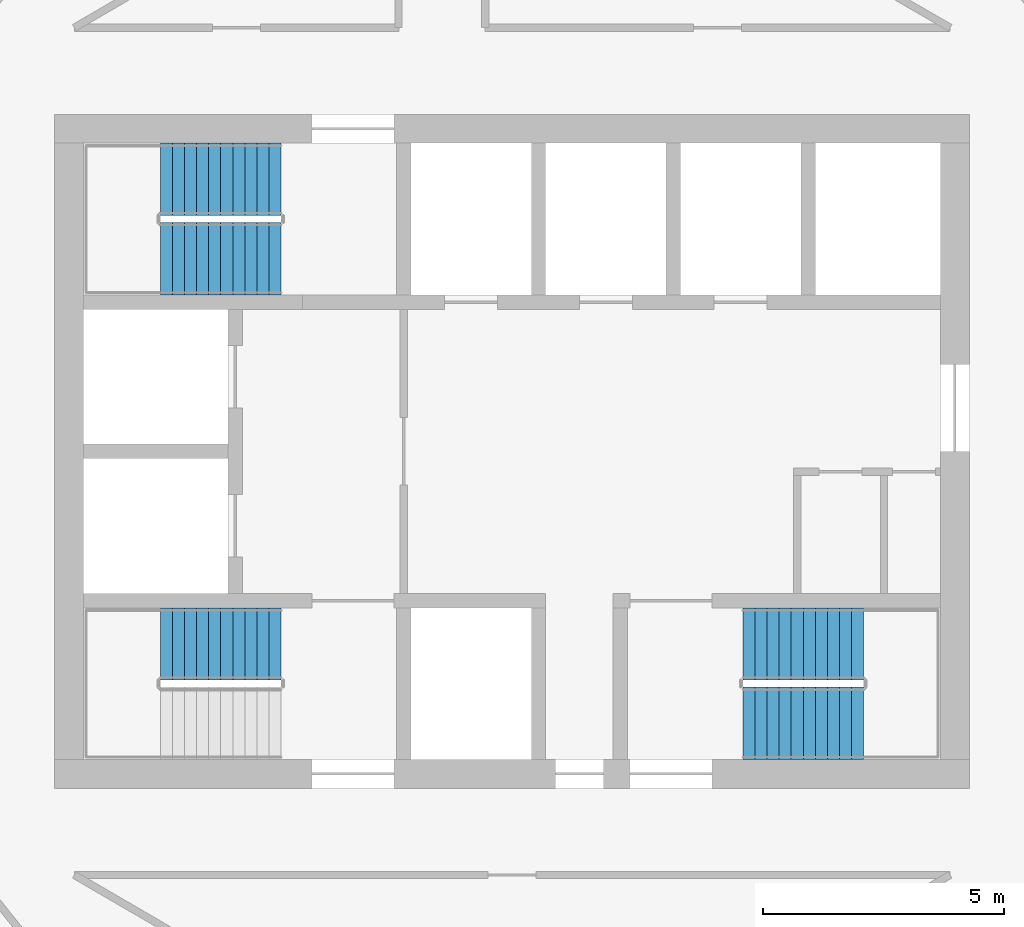
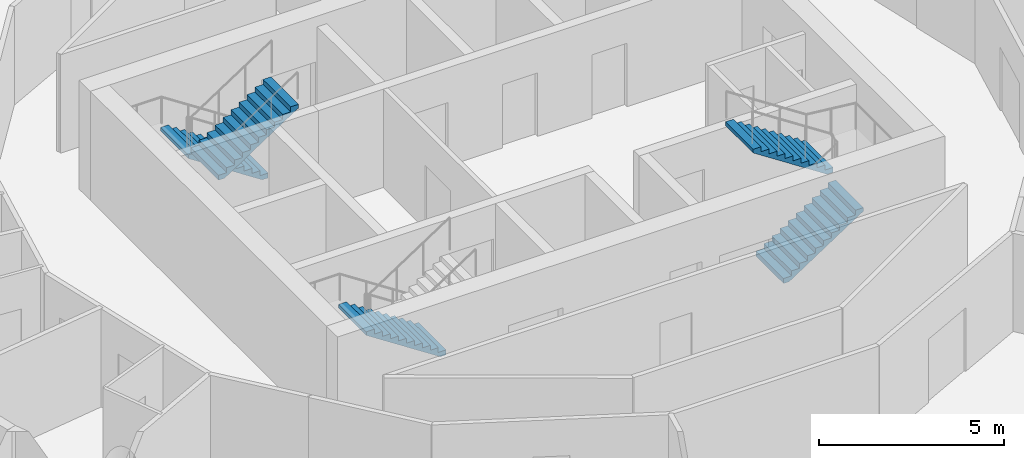
# One storey, part 11 of 12: 5 stair flights, 3 elements without a shape of their own.
"""IFC4 building model written with IfcOpenShell, lengths in metres."""

from ifc_helpers import new_model, si_unit, direction, frame, origin, place, context, subcontext, project, spatial, polyline, outline, extrude, material, type_object, element, aggregate, save


model = new_model("IFC4")

# Units and contexts
model_context = context("Model", 3, precision=1e-05, world=origin(), true_north=direction((0.0, 1.0)))
body_context = subcontext(model_context, "Body", "Model", "MODEL_VIEW")
ifc_project = project(units=[si_unit("LENGTHUNIT", "METRE"), si_unit("AREAUNIT", "SQUARE_METRE"), si_unit("VOLUMEUNIT", "CUBIC_METRE"), si_unit("PLANEANGLEUNIT", "RADIAN"), si_unit("MASSUNIT", "GRAM", prefix="KILO")], contexts=[model_context])

# Site, building, storey
site_placement = place(None, origin())
site = spatial("IfcSite", under=ifc_project, at=site_placement, CompositionType="ELEMENT")
building_placement = place(site_placement, origin())
building = spatial("IfcBuilding", under=site, at=building_placement, Name="Tracery Tower", CompositionType="ELEMENT")
storey_placement = place(building_placement, frame((0.0, 0.0, 241.800048828125)))
storey = spatial("IfcBuildingStorey", under=building, at=storey_placement, Name="L62", CompositionType="ELEMENT", Elevation=241.800048828125)

# Stair, stair flight
ifc_material_1 = material(Name="Concrete C32/40", Category="concrete")
stair_type = type_object("IfcStairType", Name="Core stair 22 risers", PredefinedType="HALF_TURN_STAIR", material=ifc_material_1)
stair_1_placement = place(storey_placement, origin())
stair_1 = element("IfcStair", 1, at=stair_1_placement, inside=storey, type_object=stair_type, Name="L62 stair ST1", PredefinedType="HALF_TURN_STAIR")
ifc_material_2 = material(Name="Concrete C32/40", Category="concrete")
stair_flight_type = type_object("IfcStairFlightType", Name="Core stair flight 11 risers", PredefinedType="STRAIGHT", material=ifc_material_2)
stair_flight_1_placement = place(storey_placement, frame((-4.800048828125, -4.0, 0.0), z_axis=(0.0, 0.0, 1.0), x_axis=(-1.0, 0.0, 0.0)))
stair_flight_1 = element("IfcStairFlight", 2, at=stair_flight_1_placement, type_object=stair_flight_type, Name="ST1 flight 1", NumberOfRisers=11, NumberOfTreads=10, PredefinedType="STRAIGHT", RiserHeight=0.163636364, TreadLength=0.25, context=body_context, shape_type="SweptSolid", body=[
    extrude(outline(polyline([(0.0, 0.0), (0.0, 0.002685546875), (0.0, 0.00537109375), (0.0, 0.008056640625), (0.0, 0.0107421875), (0.0, 0.013427734375), (0.0, 0.01611328125), (0.0, 0.018798828125), (0.0, 0.021484375), (0.0, 0.024169921875), (0.0, 0.02685546875), (0.0, 0.029541015625), (0.0, 0.0322265625), (0.0, 0.034912109375), (0.0, 0.03759765625), (0.0, 0.040283203125), (0.0, 0.04296875), (0.0, 0.045654296875), (0.0, 0.04833984375), (0.0, 0.051025390625), (0.0, 0.0537109375), (0.0, 0.056396484375), (0.0, 0.05908203125), (0.0, 0.061767578125), (0.0, 0.064453125), (0.0, 0.067138671875), (0.0, 0.06982421875), (0.0, 0.072509765625), (0.0, 0.0751953125), (0.0, 0.077880859375), (0.0, 0.08056640625), (0.0, 0.083251953125), (0.0, 0.0859375), (0.0, 0.088623046875), (0.0, 0.09130859375), (0.0, 0.093994140625), (0.0, 0.0966796875), (0.0, 0.099365234375), (0.0, 0.10205078125), (0.0, 0.104736328125), (0.0, 0.107421875), (0.0, 0.10986328125), (0.0, 0.112548828125), (0.0, 0.115234375), (0.0, 0.117919921875), (0.0, 0.12060546875), (0.0, 0.123291015625), (0.0, 0.1259765625), (0.0, 0.128662109375), (0.0, 0.13134765625), (0.0, 0.134033203125), (0.0, 0.13671875), (0.0, 0.139404296875), (0.0, 0.14208984375), (0.0, 0.144775390625), (0.0, 0.1474609375), (0.0, 0.150146484375), (0.0, 0.15283203125), (0.0, 0.155517578125), (0.0, 0.158203125), (0.0, 0.160888671875), (0.0, 0.16357421875), (0.25, 0.16357421875), (0.25, 0.327392578125), (0.5, 0.327392578125), (0.5, 0.490966796875), (0.75, 0.490966796875), (0.75, 0.654541015625), (1.0, 0.654541015625), (1.0, 0.818115234375), (1.25, 0.818115234375), (1.25, 0.98193359375), (1.5, 0.98193359375), (1.5, 1.1455078125), (1.75, 1.1455078125), (1.75, 1.30908203125), (2.0, 1.30908203125), (2.0, 1.47265625), (2.25, 1.47265625), (2.25, 1.636474609375), (2.5, 1.636474609375), (2.5, 1.634521484375), (2.5, 1.63232421875), (2.5, 1.63037109375), (2.5, 1.62841796875), (2.5, 1.62646484375), (2.5, 1.62451171875), (2.5, 1.62255859375), (2.5, 1.62060546875), (2.5, 1.61865234375), (2.5, 1.61669921875), (2.5, 1.61474609375), (2.5, 1.61279296875), (2.5, 1.61083984375), (2.5, 1.60888671875), (2.5, 1.60693359375), (2.5, 1.60498046875), (2.5, 1.60302734375), (2.5, 1.60107421875), (2.5, 1.59912109375), (2.5, 1.59716796875), (2.5, 1.59521484375), (2.5, 1.59326171875), (2.5, 1.59130859375), (2.5, 1.58935546875), (2.5, 1.58740234375), (2.5, 1.58544921875), (2.5, 1.58349609375), (2.5, 1.58154296875), (2.5, 1.57958984375), (2.5, 1.57763671875), (2.5, 1.57568359375), (2.5, 1.573486328125), (2.5, 1.571533203125), (2.5, 1.569580078125), (2.5, 1.567626953125), (2.5, 1.565673828125), (2.5, 1.563720703125), (2.5, 1.561767578125), (2.5, 1.559814453125), (2.5, 1.557861328125), (2.5, 1.555908203125), (2.5, 1.553955078125), (2.5, 1.552001953125), (2.5, 1.550048828125), (2.5, 1.548095703125), (2.5, 1.546142578125), (2.5, 1.544189453125), (2.5, 1.542236328125), (2.5, 1.540283203125), (2.5, 1.538330078125), (2.5, 1.536376953125), (2.5, 1.534423828125), (2.5, 1.532470703125), (2.5, 1.530517578125), (2.5, 1.528564453125), (2.5, 1.526611328125), (2.5, 1.524658203125), (2.5, 1.522705078125), (2.5, 1.520751953125), (2.5, 1.518798828125), (2.5, 1.516845703125), (0.182861328125, 0.0), (0.0, 0.0)])), frame((0.0, 0.75, 0.0), z_axis=(0.0, -1.0, 0.0), x_axis=(1.0, 0.0, 0.0)), (0.0, 0.0, 1.0), 1.5),
])
aggregate(stair_1, [stair_flight_1])

# Stair, stair flights
stair_2_placement = place(storey_placement, origin())
stair_2 = element("IfcStair", 3, at=stair_2_placement, inside=storey, type_object=stair_type, Name="L62 stair ST3", PredefinedType="HALF_TURN_STAIR")
stair_flight_2_placement = place(storey_placement, frame((-4.800048828125, 5.64990234375, 0.0), z_axis=(0.0, 0.0, 1.0), x_axis=(-1.0, 0.0, 0.0)))
stair_flight_2 = element("IfcStairFlight", 4, at=stair_flight_2_placement, type_object=stair_flight_type, Name="ST3 flight 1", NumberOfRisers=11, NumberOfTreads=10, PredefinedType="STRAIGHT", RiserHeight=0.163636364, TreadLength=0.25, context=body_context, shape_type="SweptSolid", body=[
    extrude(outline(polyline([(0.0, 0.0), (0.0, 0.002685546875), (0.0, 0.00537109375), (0.0, 0.008056640625), (0.0, 0.0107421875), (0.0, 0.013427734375), (0.0, 0.01611328125), (0.0, 0.018798828125), (0.0, 0.021484375), (0.0, 0.024169921875), (0.0, 0.02685546875), (0.0, 0.029541015625), (0.0, 0.0322265625), (0.0, 0.034912109375), (0.0, 0.03759765625), (0.0, 0.040283203125), (0.0, 0.04296875), (0.0, 0.045654296875), (0.0, 0.04833984375), (0.0, 0.051025390625), (0.0, 0.0537109375), (0.0, 0.056396484375), (0.0, 0.05908203125), (0.0, 0.061767578125), (0.0, 0.064453125), (0.0, 0.067138671875), (0.0, 0.06982421875), (0.0, 0.072509765625), (0.0, 0.0751953125), (0.0, 0.077880859375), (0.0, 0.08056640625), (0.0, 0.083251953125), (0.0, 0.0859375), (0.0, 0.088623046875), (0.0, 0.09130859375), (0.0, 0.093994140625), (0.0, 0.0966796875), (0.0, 0.099365234375), (0.0, 0.10205078125), (0.0, 0.104736328125), (0.0, 0.107421875), (0.0, 0.10986328125), (0.0, 0.112548828125), (0.0, 0.115234375), (0.0, 0.117919921875), (0.0, 0.12060546875), (0.0, 0.123291015625), (0.0, 0.1259765625), (0.0, 0.128662109375), (0.0, 0.13134765625), (0.0, 0.134033203125), (0.0, 0.13671875), (0.0, 0.139404296875), (0.0, 0.14208984375), (0.0, 0.144775390625), (0.0, 0.1474609375), (0.0, 0.150146484375), (0.0, 0.15283203125), (0.0, 0.155517578125), (0.0, 0.158203125), (0.0, 0.160888671875), (0.0, 0.16357421875), (0.25, 0.16357421875), (0.25, 0.327392578125), (0.5, 0.327392578125), (0.5, 0.490966796875), (0.75, 0.490966796875), (0.75, 0.654541015625), (1.0, 0.654541015625), (1.0, 0.818115234375), (1.25, 0.818115234375), (1.25, 0.98193359375), (1.5, 0.98193359375), (1.5, 1.1455078125), (1.75, 1.1455078125), (1.75, 1.30908203125), (2.0, 1.30908203125), (2.0, 1.47265625), (2.25, 1.47265625), (2.25, 1.636474609375), (2.5, 1.636474609375), (2.5, 1.634521484375), (2.5, 1.63232421875), (2.5, 1.63037109375), (2.5, 1.62841796875), (2.5, 1.62646484375), (2.5, 1.62451171875), (2.5, 1.62255859375), (2.5, 1.62060546875), (2.5, 1.61865234375), (2.5, 1.61669921875), (2.5, 1.61474609375), (2.5, 1.61279296875), (2.5, 1.61083984375), (2.5, 1.60888671875), (2.5, 1.60693359375), (2.5, 1.60498046875), (2.5, 1.60302734375), (2.5, 1.60107421875), (2.5, 1.59912109375), (2.5, 1.59716796875), (2.5, 1.59521484375), (2.5, 1.59326171875), (2.5, 1.59130859375), (2.5, 1.58935546875), (2.5, 1.58740234375), (2.5, 1.58544921875), (2.5, 1.58349609375), (2.5, 1.58154296875), (2.5, 1.57958984375), (2.5, 1.57763671875), (2.5, 1.57568359375), (2.5, 1.573486328125), (2.5, 1.571533203125), (2.5, 1.569580078125), (2.5, 1.567626953125), (2.5, 1.565673828125), (2.5, 1.563720703125), (2.5, 1.561767578125), (2.5, 1.559814453125), (2.5, 1.557861328125), (2.5, 1.555908203125), (2.5, 1.553955078125), (2.5, 1.552001953125), (2.5, 1.550048828125), (2.5, 1.548095703125), (2.5, 1.546142578125), (2.5, 1.544189453125), (2.5, 1.542236328125), (2.5, 1.540283203125), (2.5, 1.538330078125), (2.5, 1.536376953125), (2.5, 1.534423828125), (2.5, 1.532470703125), (2.5, 1.530517578125), (2.5, 1.528564453125), (2.5, 1.526611328125), (2.5, 1.524658203125), (2.5, 1.522705078125), (2.5, 1.520751953125), (2.5, 1.518798828125), (2.5, 1.516845703125), (0.182861328125, 0.0), (0.0, 0.0)])), frame((0.0, 0.75, 0.0), z_axis=(0.0, -1.0, 0.0), x_axis=(1.0, 0.0, 0.0)), (0.0, 0.0, 1.0), 1.5),
])
stair_flight_3_placement = place(storey_placement, frame((-7.300048828125, 4.0, 1.800048828125), z_axis=(0.0, 0.0, 1.0), x_axis=(1.0, 0.0, 0.0)))
stair_flight_3 = element("IfcStairFlight", 5, at=stair_flight_3_placement, type_object=stair_flight_type, Name="ST3 flight 2", NumberOfRisers=11, NumberOfTreads=10, PredefinedType="STRAIGHT", RiserHeight=0.163636364, TreadLength=0.25, context=body_context, shape_type="SweptSolid", body=[
    extrude(outline(polyline([(0.0, 0.0), (0.0, 0.002685546875), (0.0, 0.00537109375), (0.0, 0.008056640625), (0.0, 0.0107421875), (0.0, 0.013427734375), (0.0, 0.01611328125), (0.0, 0.018798828125), (0.0, 0.021484375), (0.0, 0.024169921875), (0.0, 0.02685546875), (0.0, 0.029541015625), (0.0, 0.0322265625), (0.0, 0.034912109375), (0.0, 0.03759765625), (0.0, 0.040283203125), (0.0, 0.04296875), (0.0, 0.045654296875), (0.0, 0.04833984375), (0.0, 0.051025390625), (0.0, 0.0537109375), (0.0, 0.056396484375), (0.0, 0.05908203125), (0.0, 0.061767578125), (0.0, 0.064453125), (0.0, 0.067138671875), (0.0, 0.06982421875), (0.0, 0.072509765625), (0.0, 0.0751953125), (0.0, 0.077880859375), (0.0, 0.08056640625), (0.0, 0.083251953125), (0.0, 0.0859375), (0.0, 0.088623046875), (0.0, 0.09130859375), (0.0, 0.093994140625), (0.0, 0.0966796875), (0.0, 0.099365234375), (0.0, 0.10205078125), (0.0, 0.104736328125), (0.0, 0.107421875), (0.0, 0.10986328125), (0.0, 0.112548828125), (0.0, 0.115234375), (0.0, 0.117919921875), (0.0, 0.12060546875), (0.0, 0.123291015625), (0.0, 0.1259765625), (0.0, 0.128662109375), (0.0, 0.13134765625), (0.0, 0.134033203125), (0.0, 0.13671875), (0.0, 0.139404296875), (0.0, 0.14208984375), (0.0, 0.144775390625), (0.0, 0.1474609375), (0.0, 0.150146484375), (0.0, 0.15283203125), (0.0, 0.155517578125), (0.0, 0.158203125), (0.0, 0.160888671875), (0.0, 0.16357421875), (0.25, 0.16357421875), (0.25, 0.327392578125), (0.5, 0.327392578125), (0.5, 0.490966796875), (0.75, 0.490966796875), (0.75, 0.654541015625), (1.0, 0.654541015625), (1.0, 0.818115234375), (1.25, 0.818115234375), (1.25, 0.98193359375), (1.5, 0.98193359375), (1.5, 1.1455078125), (1.75, 1.1455078125), (1.75, 1.30908203125), (2.0, 1.30908203125), (2.0, 1.47265625), (2.25, 1.47265625), (2.25, 1.636474609375), (2.5, 1.636474609375), (2.5, 1.634521484375), (2.5, 1.63232421875), (2.5, 1.63037109375), (2.5, 1.62841796875), (2.5, 1.62646484375), (2.5, 1.62451171875), (2.5, 1.62255859375), (2.5, 1.62060546875), (2.5, 1.61865234375), (2.5, 1.61669921875), (2.5, 1.61474609375), (2.5, 1.61279296875), (2.5, 1.61083984375), (2.5, 1.60888671875), (2.5, 1.60693359375), (2.5, 1.60498046875), (2.5, 1.60302734375), (2.5, 1.60107421875), (2.5, 1.59912109375), (2.5, 1.59716796875), (2.5, 1.59521484375), (2.5, 1.59326171875), (2.5, 1.59130859375), (2.5, 1.58935546875), (2.5, 1.58740234375), (2.5, 1.58544921875), (2.5, 1.58349609375), (2.5, 1.58154296875), (2.5, 1.57958984375), (2.5, 1.57763671875), (2.5, 1.57568359375), (2.5, 1.573486328125), (2.5, 1.571533203125), (2.5, 1.569580078125), (2.5, 1.567626953125), (2.5, 1.565673828125), (2.5, 1.563720703125), (2.5, 1.561767578125), (2.5, 1.559814453125), (2.5, 1.557861328125), (2.5, 1.555908203125), (2.5, 1.553955078125), (2.5, 1.552001953125), (2.5, 1.550048828125), (2.5, 1.548095703125), (2.5, 1.546142578125), (2.5, 1.544189453125), (2.5, 1.542236328125), (2.5, 1.540283203125), (2.5, 1.538330078125), (2.5, 1.536376953125), (2.5, 1.534423828125), (2.5, 1.532470703125), (2.5, 1.530517578125), (2.5, 1.528564453125), (2.5, 1.526611328125), (2.5, 1.524658203125), (2.5, 1.522705078125), (2.5, 1.520751953125), (2.5, 1.518798828125), (2.5, 1.516845703125), (0.182861328125, 0.0), (0.0, 0.0)])), frame((0.0, 0.75, 0.0), z_axis=(0.0, -1.0, 0.0), x_axis=(1.0, 0.0, 0.0)), (0.0, 0.0, 1.0), 1.5),
])
aggregate(stair_2, [stair_flight_2, stair_flight_3])

stair_3_placement = place(storey_placement, origin())
stair_3 = element("IfcStair", 6, at=stair_3_placement, inside=storey, type_object=stair_type, Name="L62 stair ST2", PredefinedType="HALF_TURN_STAIR")
stair_flight_4_placement = place(storey_placement, frame((4.800048828125, -5.64990234375, 0.0), z_axis=(0.0, 0.0, 1.0), x_axis=(1.0, 0.0, 0.0)))
stair_flight_4 = element("IfcStairFlight", 7, at=stair_flight_4_placement, type_object=stair_flight_type, Name="ST2 flight 1", NumberOfRisers=11, NumberOfTreads=10, PredefinedType="STRAIGHT", RiserHeight=0.163636364, TreadLength=0.25, context=body_context, shape_type="SweptSolid", body=[
    extrude(outline(polyline([(0.0, 0.0), (0.0, 0.002685546875), (0.0, 0.00537109375), (0.0, 0.008056640625), (0.0, 0.0107421875), (0.0, 0.013427734375), (0.0, 0.01611328125), (0.0, 0.018798828125), (0.0, 0.021484375), (0.0, 0.024169921875), (0.0, 0.02685546875), (0.0, 0.029541015625), (0.0, 0.0322265625), (0.0, 0.034912109375), (0.0, 0.03759765625), (0.0, 0.040283203125), (0.0, 0.04296875), (0.0, 0.045654296875), (0.0, 0.04833984375), (0.0, 0.051025390625), (0.0, 0.0537109375), (0.0, 0.056396484375), (0.0, 0.05908203125), (0.0, 0.061767578125), (0.0, 0.064453125), (0.0, 0.067138671875), (0.0, 0.06982421875), (0.0, 0.072509765625), (0.0, 0.0751953125), (0.0, 0.077880859375), (0.0, 0.08056640625), (0.0, 0.083251953125), (0.0, 0.0859375), (0.0, 0.088623046875), (0.0, 0.09130859375), (0.0, 0.093994140625), (0.0, 0.0966796875), (0.0, 0.099365234375), (0.0, 0.10205078125), (0.0, 0.104736328125), (0.0, 0.107421875), (0.0, 0.10986328125), (0.0, 0.112548828125), (0.0, 0.115234375), (0.0, 0.117919921875), (0.0, 0.12060546875), (0.0, 0.123291015625), (0.0, 0.1259765625), (0.0, 0.128662109375), (0.0, 0.13134765625), (0.0, 0.134033203125), (0.0, 0.13671875), (0.0, 0.139404296875), (0.0, 0.14208984375), (0.0, 0.144775390625), (0.0, 0.1474609375), (0.0, 0.150146484375), (0.0, 0.15283203125), (0.0, 0.155517578125), (0.0, 0.158203125), (0.0, 0.160888671875), (0.0, 0.16357421875), (0.25, 0.16357421875), (0.25, 0.327392578125), (0.5, 0.327392578125), (0.5, 0.490966796875), (0.75, 0.490966796875), (0.75, 0.654541015625), (1.0, 0.654541015625), (1.0, 0.818115234375), (1.25, 0.818115234375), (1.25, 0.98193359375), (1.5, 0.98193359375), (1.5, 1.1455078125), (1.75, 1.1455078125), (1.75, 1.30908203125), (2.0, 1.30908203125), (2.0, 1.47265625), (2.25, 1.47265625), (2.25, 1.636474609375), (2.5, 1.636474609375), (2.5, 1.634521484375), (2.5, 1.63232421875), (2.5, 1.63037109375), (2.5, 1.62841796875), (2.5, 1.62646484375), (2.5, 1.62451171875), (2.5, 1.62255859375), (2.5, 1.62060546875), (2.5, 1.61865234375), (2.5, 1.61669921875), (2.5, 1.61474609375), (2.5, 1.61279296875), (2.5, 1.61083984375), (2.5, 1.60888671875), (2.5, 1.60693359375), (2.5, 1.60498046875), (2.5, 1.60302734375), (2.5, 1.60107421875), (2.5, 1.59912109375), (2.5, 1.59716796875), (2.5, 1.59521484375), (2.5, 1.59326171875), (2.5, 1.59130859375), (2.5, 1.58935546875), (2.5, 1.58740234375), (2.5, 1.58544921875), (2.5, 1.58349609375), (2.5, 1.58154296875), (2.5, 1.57958984375), (2.5, 1.57763671875), (2.5, 1.57568359375), (2.5, 1.573486328125), (2.5, 1.571533203125), (2.5, 1.569580078125), (2.5, 1.567626953125), (2.5, 1.565673828125), (2.5, 1.563720703125), (2.5, 1.561767578125), (2.5, 1.559814453125), (2.5, 1.557861328125), (2.5, 1.555908203125), (2.5, 1.553955078125), (2.5, 1.552001953125), (2.5, 1.550048828125), (2.5, 1.548095703125), (2.5, 1.546142578125), (2.5, 1.544189453125), (2.5, 1.542236328125), (2.5, 1.540283203125), (2.5, 1.538330078125), (2.5, 1.536376953125), (2.5, 1.534423828125), (2.5, 1.532470703125), (2.5, 1.530517578125), (2.5, 1.528564453125), (2.5, 1.526611328125), (2.5, 1.524658203125), (2.5, 1.522705078125), (2.5, 1.520751953125), (2.5, 1.518798828125), (2.5, 1.516845703125), (0.182861328125, 0.0), (0.0, 0.0)])), frame((0.0, 0.75, 0.0), z_axis=(0.0, -1.0, 0.0), x_axis=(1.0, 0.0, 0.0)), (0.0, 0.0, 1.0), 1.5),
])
stair_flight_5_placement = place(storey_placement, frame((7.300048828125, -4.0, 1.800048828125), z_axis=(0.0, 0.0, 1.0), x_axis=(-1.0, 0.0, 0.0)))
stair_flight_5 = element("IfcStairFlight", 8, at=stair_flight_5_placement, type_object=stair_flight_type, Name="ST2 flight 2", NumberOfRisers=11, NumberOfTreads=10, PredefinedType="STRAIGHT", RiserHeight=0.163636364, TreadLength=0.25, context=body_context, shape_type="SweptSolid", body=[
    extrude(outline(polyline([(0.0, 0.0), (0.0, 0.002685546875), (0.0, 0.00537109375), (0.0, 0.008056640625), (0.0, 0.0107421875), (0.0, 0.013427734375), (0.0, 0.01611328125), (0.0, 0.018798828125), (0.0, 0.021484375), (0.0, 0.024169921875), (0.0, 0.02685546875), (0.0, 0.029541015625), (0.0, 0.0322265625), (0.0, 0.034912109375), (0.0, 0.03759765625), (0.0, 0.040283203125), (0.0, 0.04296875), (0.0, 0.045654296875), (0.0, 0.04833984375), (0.0, 0.051025390625), (0.0, 0.0537109375), (0.0, 0.056396484375), (0.0, 0.05908203125), (0.0, 0.061767578125), (0.0, 0.064453125), (0.0, 0.067138671875), (0.0, 0.06982421875), (0.0, 0.072509765625), (0.0, 0.0751953125), (0.0, 0.077880859375), (0.0, 0.08056640625), (0.0, 0.083251953125), (0.0, 0.0859375), (0.0, 0.088623046875), (0.0, 0.09130859375), (0.0, 0.093994140625), (0.0, 0.0966796875), (0.0, 0.099365234375), (0.0, 0.10205078125), (0.0, 0.104736328125), (0.0, 0.107421875), (0.0, 0.10986328125), (0.0, 0.112548828125), (0.0, 0.115234375), (0.0, 0.117919921875), (0.0, 0.12060546875), (0.0, 0.123291015625), (0.0, 0.1259765625), (0.0, 0.128662109375), (0.0, 0.13134765625), (0.0, 0.134033203125), (0.0, 0.13671875), (0.0, 0.139404296875), (0.0, 0.14208984375), (0.0, 0.144775390625), (0.0, 0.1474609375), (0.0, 0.150146484375), (0.0, 0.15283203125), (0.0, 0.155517578125), (0.0, 0.158203125), (0.0, 0.160888671875), (0.0, 0.16357421875), (0.25, 0.16357421875), (0.25, 0.327392578125), (0.5, 0.327392578125), (0.5, 0.490966796875), (0.75, 0.490966796875), (0.75, 0.654541015625), (1.0, 0.654541015625), (1.0, 0.818115234375), (1.25, 0.818115234375), (1.25, 0.98193359375), (1.5, 0.98193359375), (1.5, 1.1455078125), (1.75, 1.1455078125), (1.75, 1.30908203125), (2.0, 1.30908203125), (2.0, 1.47265625), (2.25, 1.47265625), (2.25, 1.636474609375), (2.5, 1.636474609375), (2.5, 1.634521484375), (2.5, 1.63232421875), (2.5, 1.63037109375), (2.5, 1.62841796875), (2.5, 1.62646484375), (2.5, 1.62451171875), (2.5, 1.62255859375), (2.5, 1.62060546875), (2.5, 1.61865234375), (2.5, 1.61669921875), (2.5, 1.61474609375), (2.5, 1.61279296875), (2.5, 1.61083984375), (2.5, 1.60888671875), (2.5, 1.60693359375), (2.5, 1.60498046875), (2.5, 1.60302734375), (2.5, 1.60107421875), (2.5, 1.59912109375), (2.5, 1.59716796875), (2.5, 1.59521484375), (2.5, 1.59326171875), (2.5, 1.59130859375), (2.5, 1.58935546875), (2.5, 1.58740234375), (2.5, 1.58544921875), (2.5, 1.58349609375), (2.5, 1.58154296875), (2.5, 1.57958984375), (2.5, 1.57763671875), (2.5, 1.57568359375), (2.5, 1.573486328125), (2.5, 1.571533203125), (2.5, 1.569580078125), (2.5, 1.567626953125), (2.5, 1.565673828125), (2.5, 1.563720703125), (2.5, 1.561767578125), (2.5, 1.559814453125), (2.5, 1.557861328125), (2.5, 1.555908203125), (2.5, 1.553955078125), (2.5, 1.552001953125), (2.5, 1.550048828125), (2.5, 1.548095703125), (2.5, 1.546142578125), (2.5, 1.544189453125), (2.5, 1.542236328125), (2.5, 1.540283203125), (2.5, 1.538330078125), (2.5, 1.536376953125), (2.5, 1.534423828125), (2.5, 1.532470703125), (2.5, 1.530517578125), (2.5, 1.528564453125), (2.5, 1.526611328125), (2.5, 1.524658203125), (2.5, 1.522705078125), (2.5, 1.520751953125), (2.5, 1.518798828125), (2.5, 1.516845703125), (0.182861328125, 0.0), (0.0, 0.0)])), frame((0.0, 0.75, 0.0), z_axis=(0.0, -1.0, 0.0), x_axis=(1.0, 0.0, 0.0)), (0.0, 0.0, 1.0), 1.5),
])
aggregate(stair_3, [stair_flight_4, stair_flight_5])

save(model, "model.ifc")
